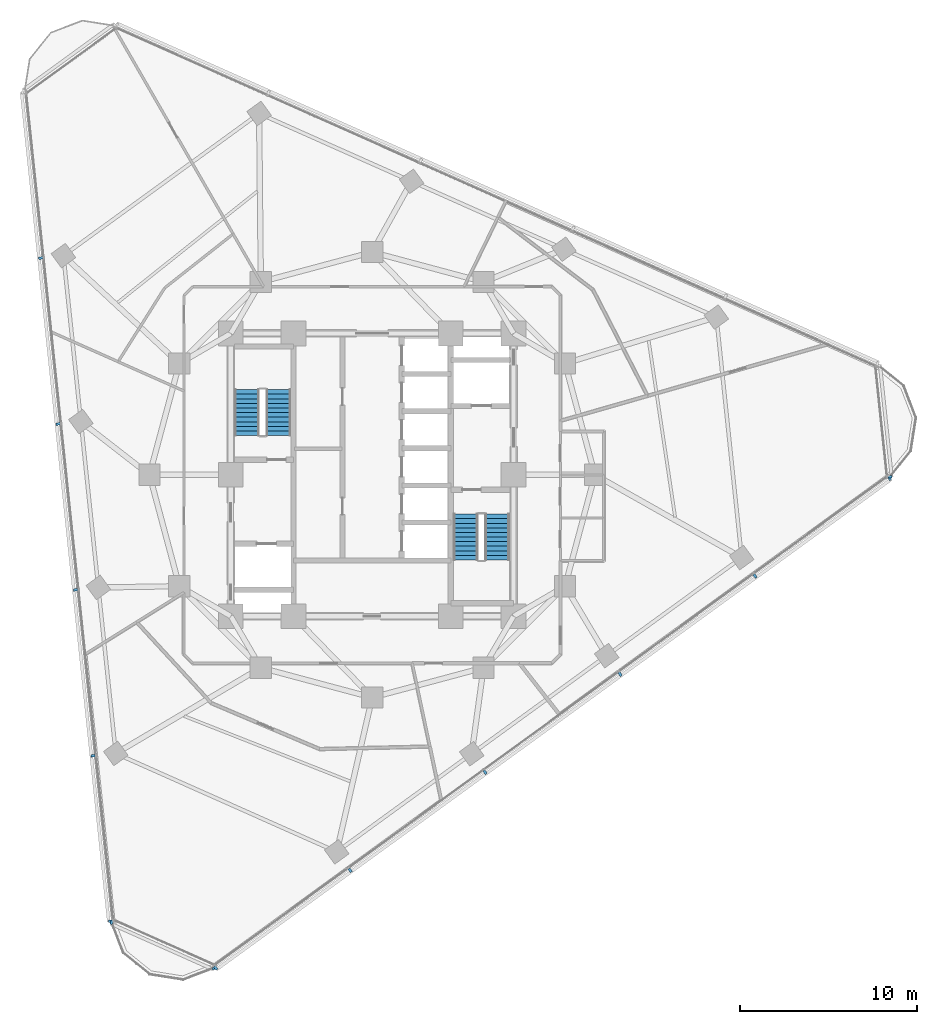
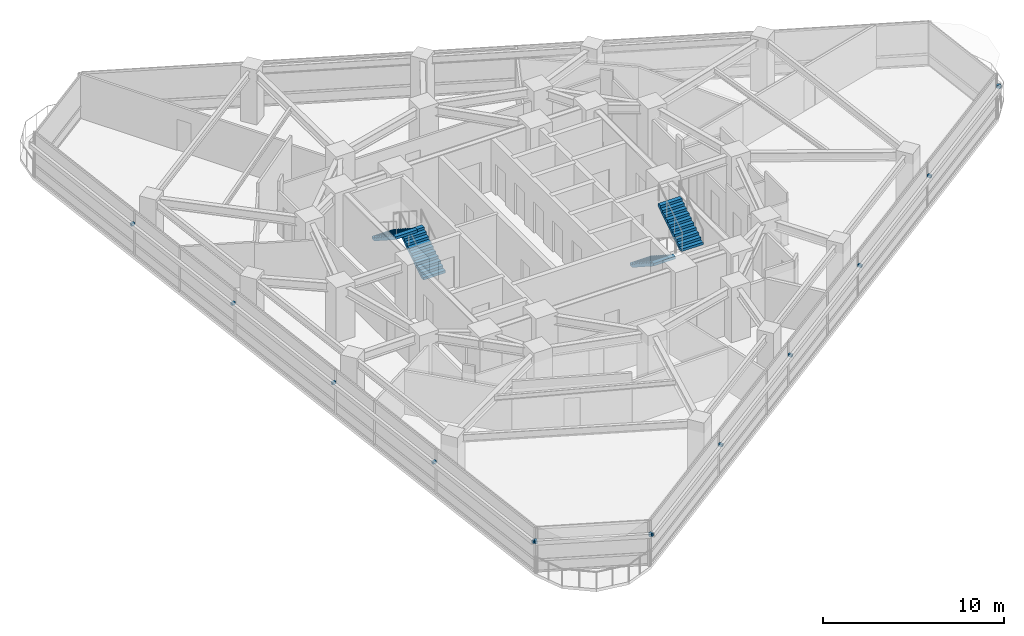
# One storey, part 10 of 14: 14 discrete accessories, 4 stair flights, 2 elements without a shape of their own.
"""IFC4 building model written with IfcOpenShell, lengths in metres."""

from ifc_helpers import new_model, si_unit, direction, frame, origin, origin_2d, place, context, subcontext, project, spatial, polyline, rectangle, outline, extrude, material, type_object, element, aggregate, save


model = new_model("IFC4")

# Units and contexts
model_context = context("Model", 3, precision=1e-05, world=origin(), true_north=direction((0.0, 1.0)))
body_context = subcontext(model_context, "Body", "Model", "MODEL_VIEW")
ifc_project = project(units=[si_unit("LENGTHUNIT", "METRE"), si_unit("AREAUNIT", "SQUARE_METRE"), si_unit("VOLUMEUNIT", "CUBIC_METRE"), si_unit("PLANEANGLEUNIT", "RADIAN"), si_unit("MASSUNIT", "GRAM", prefix="KILO")], contexts=[model_context])

# Site, building, storey
site_placement = place(None, origin())
site = spatial("IfcSite", under=ifc_project, at=site_placement, CompositionType="ELEMENT")
building_placement = place(site_placement, origin())
building = spatial("IfcBuilding", under=site, at=building_placement, Name="Terralouvre Media Tower", CompositionType="ELEMENT")
storey_placement = place(building_placement, frame((0.0, 0.0, 154.60009765625)))
storey = spatial("IfcBuildingStorey", under=building, at=storey_placement, Name="L39", CompositionType="ELEMENT", Elevation=154.60009765625)

# Stair, stair flights
ifc_material_1 = material(Name="Concrete C45/55", Category="concrete")
stair_type_1 = type_object("IfcStairType", Name="Dogleg Stair Assembly ST-01", PredefinedType="HALF_TURN_STAIR", material=ifc_material_1)
stair_1_placement = place(storey_placement, origin())
stair_1 = element("IfcStair", 1, at=stair_1_placement, inside=storey, type_object=stair_type_1, Name="L39 Core Pressurised Exit Stair ST-01", PredefinedType="HALF_TURN_STAIR")
ifc_material_2 = material(Name="Concrete C45/55", Category="concrete")
stair_flight_type = type_object("IfcStairFlightType", Name="Reinforced Concrete Stair Flight SF-RC1", PredefinedType="STRAIGHT", material=ifc_material_2)
stair_flight_1_placement = place(storey_placement, frame((-5.300048828125, 2.219970703125, 0.0), z_axis=(0.0, 0.0, 1.0), x_axis=(0.0, 1.0, 0.0)))
stair_flight_1 = element("IfcStairFlight", 2, at=stair_flight_1_placement, type_object=stair_flight_type, Name="ST-01 flight 1", NumberOfRisers=11, NumberOfTreads=10, PredefinedType="STRAIGHT", RiserHeight=0.168181818, TreadLength=0.26, context=body_context, shape_type="SweptSolid", body=[
    extrude(outline(polyline([(0.0, 0.0), (0.0, 0.168212890625), (0.260009765625, 0.168212890625), (0.260009765625, 0.33642578125), (0.52001953125, 0.33642578125), (0.52001953125, 0.504638671875), (0.780029296875, 0.504638671875), (0.780029296875, 0.672607421875), (1.0400390625, 0.672607421875), (1.0400390625, 0.8408203125), (1.300048828125, 0.8408203125), (1.300048828125, 1.009033203125), (1.56005859375, 1.009033203125), (1.56005859375, 1.17724609375), (1.820068359375, 1.17724609375), (1.820068359375, 1.345458984375), (2.080078125, 1.345458984375), (2.080078125, 1.513671875), (2.340087890625, 1.513671875), (2.340087890625, 1.681884765625), (2.60009765625, 1.681884765625), (2.60009765625, 1.85009765625), (2.60009765625, 1.503173828125), (0.27587890625, 0.0), (0.0, 0.0)])), frame((0.0, 0.699951171875, 0.0), z_axis=(0.0, -1.0, 0.0), x_axis=(1.0, 0.0, 0.0)), (0.0, 0.0, 1.0), 1.39990234375),
])
stair_flight_2_placement = place(storey_placement, frame((-7.080078125, 4.820068359375, 1.849853515625), z_axis=(0.0, 0.0, 1.0), x_axis=(0.0, -1.0, 0.0)))
stair_flight_2 = element("IfcStairFlight", 3, at=stair_flight_2_placement, type_object=stair_flight_type, Name="ST-01 flight 2", NumberOfRisers=11, NumberOfTreads=10, PredefinedType="STRAIGHT", RiserHeight=0.168181818, TreadLength=0.26, context=body_context, shape_type="SweptSolid", body=[
    extrude(outline(polyline([(0.0, 0.0), (0.0, 0.168212890625), (0.260009765625, 0.168212890625), (0.260009765625, 0.33642578125), (0.52001953125, 0.33642578125), (0.52001953125, 0.504638671875), (0.780029296875, 0.504638671875), (0.780029296875, 0.672607421875), (1.0400390625, 0.672607421875), (1.0400390625, 0.8408203125), (1.300048828125, 0.8408203125), (1.300048828125, 1.009033203125), (1.56005859375, 1.009033203125), (1.56005859375, 1.17724609375), (1.820068359375, 1.17724609375), (1.820068359375, 1.345458984375), (2.080078125, 1.345458984375), (2.080078125, 1.513671875), (2.340087890625, 1.513671875), (2.340087890625, 1.681884765625), (2.60009765625, 1.681884765625), (2.60009765625, 1.85009765625), (2.60009765625, 1.503173828125), (0.27587890625, 0.0), (0.0, 0.0)])), frame((0.0, 0.699951171875, 0.0), z_axis=(0.0, -1.0, 0.0), x_axis=(1.0, 0.0, 0.0)), (0.0, 0.0, 1.0), 1.39990234375),
])
aggregate(stair_1, [stair_flight_1, stair_flight_2])

ifc_material_3 = material(Name="Concrete C45/55", Category="concrete")
stair_type_2 = type_object("IfcStairType", Name="Dogleg Stair Assembly ST-02", PredefinedType="HALF_TURN_STAIR", material=ifc_material_3)
stair_2_placement = place(storey_placement, origin())
stair_2 = element("IfcStair", 4, at=stair_2_placement, inside=storey, type_object=stair_type_2, Name="L39 Core Pressurised Exit Stair ST-02", PredefinedType="HALF_TURN_STAIR")
stair_flight_3_placement = place(storey_placement, frame((5.300048828125, -2.219970703125, 0.0), z_axis=(0.0, 0.0, 1.0), x_axis=(0.0, -1.0, 0.0)))
stair_flight_3 = element("IfcStairFlight", 5, at=stair_flight_3_placement, type_object=stair_flight_type, Name="ST-02 flight 1", NumberOfRisers=11, NumberOfTreads=10, PredefinedType="STRAIGHT", RiserHeight=0.168181818, TreadLength=0.26, context=body_context, shape_type="SweptSolid", body=[
    extrude(outline(polyline([(0.0, 0.0), (0.0, 0.168212890625), (0.260009765625, 0.168212890625), (0.260009765625, 0.33642578125), (0.52001953125, 0.33642578125), (0.52001953125, 0.504638671875), (0.780029296875, 0.504638671875), (0.780029296875, 0.672607421875), (1.0400390625, 0.672607421875), (1.0400390625, 0.8408203125), (1.300048828125, 0.8408203125), (1.300048828125, 1.009033203125), (1.56005859375, 1.009033203125), (1.56005859375, 1.17724609375), (1.820068359375, 1.17724609375), (1.820068359375, 1.345458984375), (2.080078125, 1.345458984375), (2.080078125, 1.513671875), (2.340087890625, 1.513671875), (2.340087890625, 1.681884765625), (2.60009765625, 1.681884765625), (2.60009765625, 1.85009765625), (2.60009765625, 1.503173828125), (0.27587890625, 0.0), (0.0, 0.0)])), frame((0.0, 0.699951171875, 0.0), z_axis=(0.0, -1.0, 0.0), x_axis=(1.0, 0.0, 0.0)), (0.0, 0.0, 1.0), 1.39990234375),
])
stair_flight_4_placement = place(storey_placement, frame((7.080078125, -4.820068359375, 1.849853515625), z_axis=(0.0, 0.0, 1.0), x_axis=(0.0, 1.0, 0.0)))
stair_flight_4 = element("IfcStairFlight", 6, at=stair_flight_4_placement, type_object=stair_flight_type, Name="ST-02 flight 2", NumberOfRisers=11, NumberOfTreads=10, PredefinedType="STRAIGHT", RiserHeight=0.168181818, TreadLength=0.26, context=body_context, shape_type="SweptSolid", body=[
    extrude(outline(polyline([(0.0, 0.0), (0.0, 0.168212890625), (0.260009765625, 0.168212890625), (0.260009765625, 0.33642578125), (0.52001953125, 0.33642578125), (0.52001953125, 0.504638671875), (0.780029296875, 0.504638671875), (0.780029296875, 0.672607421875), (1.0400390625, 0.672607421875), (1.0400390625, 0.8408203125), (1.300048828125, 0.8408203125), (1.300048828125, 1.009033203125), (1.56005859375, 1.009033203125), (1.56005859375, 1.17724609375), (1.820068359375, 1.17724609375), (1.820068359375, 1.345458984375), (2.080078125, 1.345458984375), (2.080078125, 1.513671875), (2.340087890625, 1.513671875), (2.340087890625, 1.681884765625), (2.60009765625, 1.681884765625), (2.60009765625, 1.85009765625), (2.60009765625, 1.503173828125), (0.27587890625, 0.0), (0.0, 0.0)])), frame((0.0, 0.699951171875, 0.0), z_axis=(0.0, -1.0, 0.0), x_axis=(1.0, 0.0, 0.0)), (0.0, 0.0, 1.0), 1.39990234375),
])
aggregate(stair_2, [stair_flight_3, stair_flight_4])

# Discrete accessories
ifc_material_4 = material(Name="Anodised extruded aluminium 6063-T6", Category="aluminium")
discrete_accessory_type = type_object("IfcDiscreteAccessoryType", Name="Mullion Stand-Off Baguette Fixing Bracket BK-01", PredefinedType="BRACKET", material=ifc_material_4)
for number, where, z_axis, x_axis, name in (
    (7, (-8.855224609375, -27.898681640625, 2.07373046875), (0.0, 0.0, 1.0), (0.809016917383, 0.587785358263, 0.0), "CW-L39-F0 Baguette Outrigger Bracket 1.01"),
    (8, (-1.24853515625, -22.3720703125, 2.07373046875), (0.0, 0.0, 1.0), (0.809016917383, 0.587785358263, 0.0), "CW-L39-F0 Baguette Outrigger Bracket 1.02"),
    (9, (6.388671875, -16.8232421875, 2.07373046875), (0.0, 0.0, 1.0), (0.809016917383, 0.587785358263, 0.0), "CW-L39-F0 Baguette Outrigger Bracket 1.03"),
    (10, (14.025634765625, -11.274658203125, 2.07373046875), (0.0, 0.0, 1.0), (0.809016917383, 0.587785358263, 0.0), "CW-L39-F0 Baguette Outrigger Bracket 1.04"),
    (11, (21.662841796875, -5.725830078125, 2.07373046875), (0.0, 0.0, 1.0), (0.809016917383, 0.587785358263, 0.0), "CW-L39-F0 Baguette Outrigger Bracket 1.05"),
    (12, (29.26953125, -0.19921875, 2.07373046875), (0.0, 0.0, 1.0), (0.809016917383, 0.587785358263, 0.0), "CW-L39-F0 Baguette Outrigger Bracket 1.06"),
    (13, (-18.75048828125, 12.267333984375, 2.07373046875), (0.0, 0.0, 1.0), (0.104528376236, -0.994521904516, 0.0), "CW-L39-F2 Baguette Outrigger Bracket 1.02"),
    (14, (-17.763671875, 2.87890625, 2.07373046875), (0.0, 0.0, 1.0), (0.104528376236, -0.994521904516, 0.0), "CW-L39-F2 Baguette Outrigger Bracket 1.03"),
    (15, (-16.77685546875, -6.50927734375, 2.07373046875), (0.0, 0.0, 1.0), (0.104528376236, -0.994521904516, 0.0), "CW-L39-F2 Baguette Outrigger Bracket 1.04"),
    (16, (-15.790283203125, -15.897705078125, 2.07373046875), (0.0, 0.0, 1.0), (0.104528376236, -0.994521904516, 0.0), "CW-L39-F2 Baguette Outrigger Bracket 1.05"),
    (17, (-14.807373046875, -25.24853515625, 2.07373046875), (0.0, 0.0, 1.0), (0.104528376236, -0.994521904516, 0.0), "CW-L39-F2 Baguette Outrigger Bracket 1.06"),
    (18, (-14.737548828125, -25.315185546875, 2.07373046875), (0.0, 0.0, 1.0), (0.913545408199, -0.406736754128, 0.0), "CW-L39-C0 Baguette Outrigger Bracket 1.01"),
    (19, (-8.95166015625, -27.891357421875, 2.07373046875), (0.0, 0.0, 1.0), (0.913545408199, -0.406736754128, 0.0), "CW-L39-C0 Baguette Outrigger Bracket 1.02"),
    (20, (29.29248046875, -0.10546875, 2.07373046875), (0.0, 0.0, 1.0), (-0.10452850319, 0.994521891172, 0.0), "CW-L39-C1 Baguette Outrigger Bracket 1.01"),
):
    element("IfcDiscreteAccessory", number, at=place(storey_placement, frame(where, z_axis=z_axis, x_axis=x_axis)), inside=storey, type_object=discrete_accessory_type, Name=name, PredefinedType="BRACKET", context=body_context, shape_type="SweptSolid", body=[
        extrude(rectangle(XDim=0.139892578125, YDim=0.239990234375, at=origin_2d()), origin(), (0.0, 0.0, 1.0), 0.179931640625),
    ])

save(model, "model.ifc")
